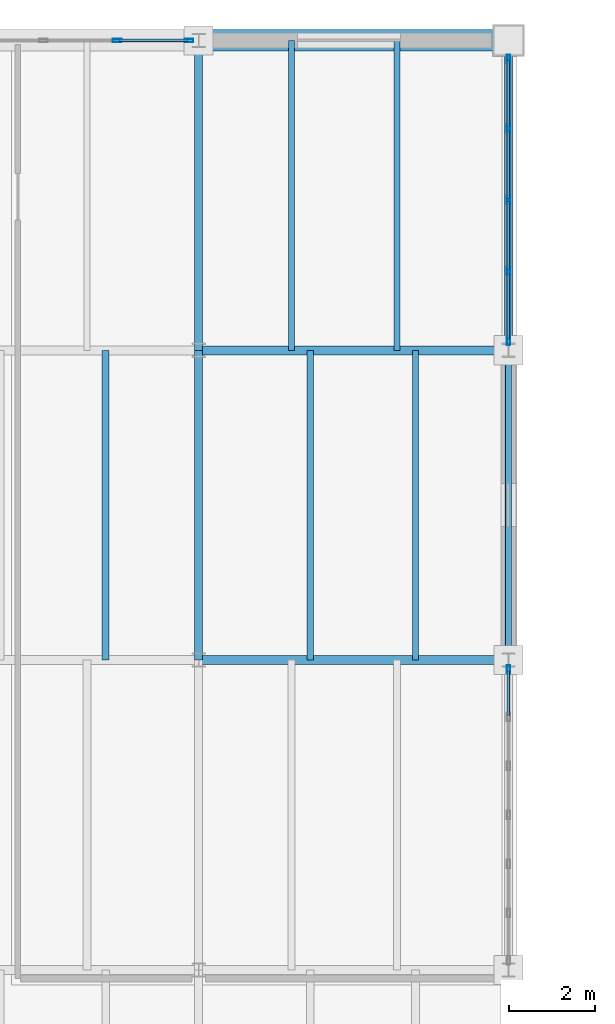
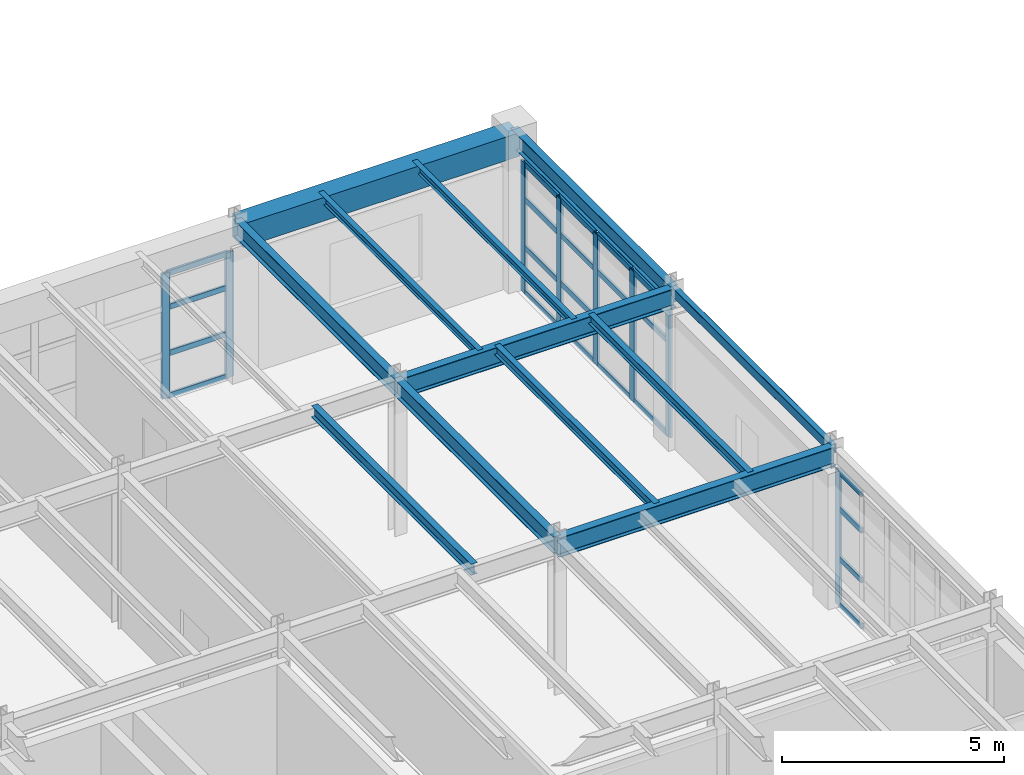
# One storey, part 65 of 137: 32 members, 12 beams, 3 elements without a shape of their own.
"""IFC4 building model written with IfcOpenShell, lengths in metres."""

import ifcopenshell
import ifcopenshell.guid

model = None  # the IFC model being written
_history = None  # IfcOwnerHistory: only IFC2X3 demands one
_inside = {}  # id of a spatial element -> (the spatial element, [elements in it])
_under = {}  # id of a project, library or spatial element -> (it, [spatial elements below it])
_declared = {}  # id of a project -> (the project, [libraries it declares])
_typed = {}  # id of a type object -> (the type object, [elements of that type])
_made_of = {}  # id of a material, layer set ... -> (it, [elements and type objects made of it])


def new_model(schema):
    """Start an empty IFC model of exactly this schema.

    Asked for "IFC4X3", IfcOpenShell would pick the latest addendum, in which some entities
    have other attributes; the version numbers below select the first issue.
    IFC2X3 requires an IfcOwnerHistory on every rooted entity: one is made here for all.
    """
    global model, _history
    if schema == "IFC4X3":
        model = ifcopenshell.file(schema_version=(4, 3, 0, 0))
    else:
        model = ifcopenshell.file(schema=schema)
    _inside.clear()
    _under.clear()
    _declared.clear()
    _typed.clear()
    _made_of.clear()
    _history = None
    if model.schema == "IFC2X3":
        org = make("IfcOrganization", Name="unknown")
        user = make(
            "IfcPersonAndOrganization",
            ThePerson=make("IfcPerson", FamilyName="unknown"),
            TheOrganization=org,
        )
        app = make(
            "IfcApplication",
            ApplicationDeveloper=org,
            Version="unknown",
            ApplicationFullName="unknown",
            ApplicationIdentifier="unknown",
        )
        _history = make(
            "IfcOwnerHistory",
            OwningUser=user,
            OwningApplication=app,
            ChangeAction="ADDED",
            CreationDate=0,
        )
    return model


def make(cls, **values):
    """One entity of the class cls with the attributes given. An attribute that is None is left unset."""
    return model.create_entity(
        cls, **{name: value for name, value in values.items() if value is not None}
    )


def rooted(cls, **values):
    """An entity with a GlobalId (a new one), such as an element, a storey or a relation."""
    return make(cls, GlobalId=ifcopenshell.guid.new(), OwnerHistory=_history, **values)


def si_unit(unit_type, name, prefix=None):
    """IfcSIUnit, for example si_unit("LENGTHUNIT", "METRE", prefix="MILLI")."""
    return make("IfcSIUnit", UnitType=unit_type, Prefix=prefix, Name=name)


def assignment(units):
    """IfcUnitAssignment: the units of a project."""
    return None if units is None else make("IfcUnitAssignment", Units=units)


def point(xyz):
    """IfcCartesianPoint."""
    return None if xyz is None else make("IfcCartesianPoint", Coordinates=xyz)


def direction(xyz):
    """IfcDirection."""
    return None if xyz is None else make("IfcDirection", DirectionRatios=xyz)


def frame(location, z_axis=None, x_axis=None):
    """IfcAxis2Placement3D, a coordinate frame: its origin and axes. An axis left out is left unset."""
    return make(
        "IfcAxis2Placement3D",
        Location=point(location),
        Axis=direction(z_axis),
        RefDirection=direction(x_axis),
    )


def frame_2d(location, x_axis=None):
    """IfcAxis2Placement2D, a coordinate frame in the plane: its origin and x axis."""
    return make(
        "IfcAxis2Placement2D", Location=point(location), RefDirection=direction(x_axis)
    )


def origin():
    """The frame at (0, 0, 0) with its axes left unset."""
    return frame((0.0, 0.0, 0.0))


def origin_2d():
    """The frame at (0, 0) in the plane with its x axis left unset."""
    return frame_2d((0.0, 0.0))


def place(relative_to, where):
    """IfcLocalPlacement: puts the frame where relative to a parent placement (None: the world)."""
    return make(
        "IfcLocalPlacement", PlacementRelTo=relative_to, RelativePlacement=where
    )


def context(
    kind, dimensions, precision=None, world=None, true_north=None, identifier=None
):
    """IfcGeometricRepresentationContext, for example the 3D "Model" context."""
    return make(
        "IfcGeometricRepresentationContext",
        ContextIdentifier=identifier,
        ContextType=kind,
        CoordinateSpaceDimension=dimensions,
        Precision=precision,
        WorldCoordinateSystem=world,
        TrueNorth=true_north,
    )


def subcontext(parent, identifier, kind, view, scale=None):
    """IfcGeometricRepresentationSubContext, for example "Body" below "Model"."""
    return make(
        "IfcGeometricRepresentationSubContext",
        ContextIdentifier=identifier,
        ContextType=kind,
        ParentContext=parent,
        TargetScale=scale,
        TargetView=view,
    )


def project(units=None, contexts=None):
    """IfcProject with its units and contexts."""
    return rooted(
        "IfcProject",
        Name="project",
        RepresentationContexts=contexts,
        UnitsInContext=assignment(units),
    )


def spatial(cls, under=None, at=None, **own):
    """A site, building, storey or space (cls), placed at a placement, below another one or the project."""
    s = rooted(cls, ObjectPlacement=at, **own)
    if under is not None:
        _under.setdefault(under.id(), (under, []))[1].append(s)
    return s


def profile(cls, at=None, kind="AREA", **sizes):
    """A parametric profile (cls). Its sizes go by their IFC names, for example OverallWidth=200.0."""
    return make(cls, ProfileType=kind, Position=at, **sizes)


def rectangle(**sizes):
    """IfcRectangleProfileDef."""
    return profile("IfcRectangleProfileDef", **sizes)


def hollow_rectangle(**sizes):
    """IfcRectangleHollowProfileDef."""
    return profile("IfcRectangleHollowProfileDef", **sizes)


def i_section(**sizes):
    """IfcIShapeProfileDef."""
    return profile("IfcIShapeProfileDef", **sizes)


def extrude(swept, where, along, depth):
    """IfcExtrudedAreaSolid: the profile swept, set in the frame where, extruded along a direction by depth."""
    return make(
        "IfcExtrudedAreaSolid",
        SweptArea=swept,
        Position=where,
        ExtrudedDirection=direction(along),
        Depth=depth,
    )


def shape(context_of_items, identifier, shape_type, items):
    """IfcShapeRepresentation: the items that make up one representation, for example the "Body"."""
    return make(
        "IfcShapeRepresentation",
        ContextOfItems=context_of_items,
        RepresentationIdentifier=identifier,
        RepresentationType=shape_type,
        Items=items,
    )


def material(Name=None, Category=None):
    """IfcMaterial."""
    return make("IfcMaterial", Name=Name, Category=Category)


def layer(
    of_material, thickness, ventilated=None, Name=None, Category=None, Priority=None
):
    """IfcMaterialLayer: one layer of a wall or slab, of a material (None: an air gap)."""
    return make(
        "IfcMaterialLayer",
        Material=of_material,
        LayerThickness=thickness,
        IsVentilated=ventilated,
        Name=Name,
        Category=Category,
        Priority=Priority,
    )


def layer_set(layers, Name=None):
    """IfcMaterialLayerSet."""
    return make("IfcMaterialLayerSet", MaterialLayers=layers, LayerSetName=Name)


def material_profile(
    of_material, cross_section, Name=None, Category=None, Priority=None
):
    """IfcMaterialProfile: a cross section and its material."""
    return make(
        "IfcMaterialProfile",
        Name=Name,
        Material=of_material,
        Profile=cross_section,
        Priority=Priority,
        Category=Category,
    )


def profile_set(profiles, Name=None, composite=None):
    """IfcMaterialProfileSet."""
    return make(
        "IfcMaterialProfileSet",
        Name=Name,
        MaterialProfiles=profiles,
        CompositeProfile=composite,
    )


def made_of(thing, what):
    """Note that an element or type object is made of a material, layer set ...; save() writes the relation."""
    if what is not None:
        _made_of.setdefault(what.id(), (what, []))[1].append(thing)
    return thing


def type_object(cls, material=None, **own):
    """A type object (cls), such as IfcWallType, which elements share."""
    return made_of(rooted(cls, **own), material)


def element(
    cls,
    number,
    at=None,
    inside=None,
    cuts=None,
    type_object=None,
    material=None,
    context=None,
    identifier="Body",
    shape_type=None,
    held_by="IfcProductDefinitionShape",
    body=None,
    shapes=None,
    **own,
):
    """One element of the class cls, such as IfcWall. Its Tag is "e" and its number.

    at: its placement. inside: the storey or other place that contains it. cuts: it is an
    opening in that element (IfcRelVoidsElement). A single representation is given by context,
    identifier, shape_type and body (its items); several are given by shapes. held_by: the class
    of the entity that holds the representations. save() writes the other relations.
    """
    e = rooted(cls, Tag="e%d" % number, ObjectPlacement=at, **own)
    if body is not None:
        shapes = [shape(context, identifier, shape_type, body)]
    if shapes is not None:
        e.Representation = make(held_by, Representations=shapes)
    if inside is not None:
        _inside.setdefault(inside.id(), (inside, []))[1].append(e)
    if cuts is not None:
        rooted(
            "IfcRelVoidsElement", RelatingBuildingElement=cuts, RelatedOpeningElement=e
        )
    if type_object is not None:
        _typed.setdefault(type_object.id(), (type_object, []))[1].append(e)
    return made_of(e, material)


def aggregate(whole, parts):
    """IfcRelAggregates: a whole, such as a stair, and the parts it consists of."""
    return rooted("IfcRelAggregates", RelatingObject=whole, RelatedObjects=parts)


def save(model, path):
    """Write the relations noted so far, then the file.

    IfcRelAggregates (storeys below a building ...), IfcRelContainedInSpatialStructure (elements
    in a storey), IfcRelDefinesByType, IfcRelAssociatesMaterial and IfcRelDeclares: one each for
    every whole, place, type object, material and project.
    """
    for whole, parts in _under.values():
        aggregate(whole, parts)
    for where, things in _inside.values():
        rooted(
            "IfcRelContainedInSpatialStructure",
            RelatedElements=things,
            RelatingStructure=where,
        )
    for kind, things in _typed.values():
        rooted("IfcRelDefinesByType", RelatedObjects=things, RelatingType=kind)
    for what, things in _made_of.values():
        rooted("IfcRelAssociatesMaterial", RelatedObjects=things, RelatingMaterial=what)
    for by, libraries in _declared.values():
        rooted("IfcRelDeclares", RelatingContext=by, RelatedDefinitions=libraries)
    model.write(path)


model = new_model("IFC4")

# Units and contexts
model_context = context("Model", 3, precision=1e-05, world=origin(), true_north=direction((0.0, 1.0)))
body_context = subcontext(model_context, "Body", "Model", "MODEL_VIEW")
ifc_project = project(units=[si_unit("LENGTHUNIT", "METRE"), si_unit("AREAUNIT", "SQUARE_METRE"), si_unit("VOLUMEUNIT", "CUBIC_METRE"), si_unit("PLANEANGLEUNIT", "RADIAN"), si_unit("MASSUNIT", "GRAM", prefix="KILO")], contexts=[model_context])

# Site, building, storey
site_placement = place(None, origin())
site = spatial("IfcSite", under=ifc_project, at=site_placement, CompositionType="ELEMENT")
building_placement = place(site_placement, origin())
building = spatial("IfcBuilding", under=site, at=building_placement, Name="Kemerveld Promenade Tramway Depot", CompositionType="ELEMENT")
storey_placement = place(building_placement, frame((0.0, 0.0, 5.39990234375)))
storey = spatial("IfcBuildingStorey", under=building, at=storey_placement, Name="L01", CompositionType="ELEMENT", Elevation=5.39990234375)

# Beams
ifc_material_1 = material(Name="Steel S355", Category="steel")
ifc_material_profile_1 = material_profile(ifc_material_1, i_section(OverallWidth=0.2099609375, OverallDepth=0.53662109375, WebThickness=0.0107421875, FlangeThickness=0.017333984375, FilletRadius=0.0126953125, at=origin_2d()), Name="533x210x101 UB")
ifc_profile_set_1 = profile_set([ifc_material_profile_1], Name="Steel S355")
beam_type_1 = type_object("IfcBeamType", Name="BM-G05", PredefinedType="BEAM", material=ifc_profile_set_1)
for number, where, z_axis, x_axis, name in (
    (1, (50.39990234375, 64.800048828125, 3.99169921875), (1.0, 0.0, 0.0), (0.0, 1.0, 0.0), "BMX-L01-08-09-K"),
    (2, (50.39990234375, 72.0, 3.99169921875), (1.0, 0.0, 0.0), (0.0, 1.0, 0.0), "BMX-L01-08-09-L"),
):
    element("IfcBeam", number, at=place(storey_placement, frame(where, z_axis=z_axis, x_axis=x_axis)), inside=storey, type_object=beam_type_1, Name=name, PredefinedType="BEAM", context=body_context, shape_type="SweptSolid", body=[
        extrude(i_section(OverallWidth=0.2099609375, OverallDepth=0.53662109375, WebThickness=0.0107421875, FlangeThickness=0.017333984375, FilletRadius=0.0126953125, at=origin_2d()), origin(), (0.0, 0.0, 1.0), 7.2001953125),
    ])
ifc_material_profile_2 = material_profile(ifc_material_1, i_section(OverallWidth=0.19140625, OverallDepth=0.4599609375, WebThickness=0.010009765625, FlangeThickness=0.01611328125, FilletRadius=0.01025390625, at=origin_2d()), Name="457x191x82 UB")
ifc_profile_set_2 = profile_set([ifc_material_profile_2], Name="Steel S355")
beam_type_2 = type_object("IfcBeamType", Name="BM-G06", PredefinedType="BEAM", material=ifc_profile_set_2)
for number, where, z_axis, x_axis, name in (
    (3, (50.39990234375, 64.800048828125, 4.030029296875), (0.0, 1.0, 0.0), (-1.0, 0.0, 0.0), "BMY-L01-08-K-L"),
    (4, (50.39990234375, 72.0, 4.030029296875), (0.0, 1.0, 0.0), (-1.0, 0.0, 0.0), "BMY-L01-08-L-M"),
    (5, (57.60009765625, 72.0, 4.030029296875), (0.0, 1.0, 0.0), (-1.0, 0.0, 0.0), "BMY-L01-09-L-M"),
):
    element("IfcBeam", number, at=place(storey_placement, frame(where, z_axis=z_axis, x_axis=x_axis)), inside=storey, type_object=beam_type_2, Name=name, PredefinedType="BEAM", context=body_context, shape_type="SweptSolid", body=[
        extrude(i_section(OverallWidth=0.19140625, OverallDepth=0.4599609375, WebThickness=0.010009765625, FlangeThickness=0.01611328125, FilletRadius=0.01025390625, at=origin_2d()), origin(), (0.0, 0.0, 1.0), 7.199951171875),
    ])
ifc_material_profile_3 = material_profile(ifc_material_1, i_section(OverallWidth=0.165771484375, OverallDepth=0.306640625, WebThickness=0.006591796875, FlangeThickness=0.01171875, FilletRadius=0.0087890625, at=origin_2d()), Name="305x165x46 UB")
ifc_profile_set_3 = profile_set([ifc_material_profile_3], Name="Steel S355")
beam_type_3 = type_object("IfcBeamType", Name="BM-J01", PredefinedType="JOIST", material=ifc_profile_set_3)
beam_1_placement = place(storey_placement, frame((48.239990234375, 64.800048828125, 4.106689453125), z_axis=(0.0, 1.0, 0.0), x_axis=(-1.0, 0.0, 0.0)))
element("IfcBeam", 6, at=beam_1_placement, inside=storey, type_object=beam_type_3, Name="JST-L01-07-K-2", PredefinedType="JOIST", context=body_context, shape_type="SweptSolid", body=[
    extrude(i_section(OverallWidth=0.165771484375, OverallDepth=0.306640625, WebThickness=0.006591796875, FlangeThickness=0.01171875, FilletRadius=0.0087890625, at=origin_2d()), origin(), (0.0, 0.0, 1.0), 7.199951171875),
])
ifc_material_profile_4 = material_profile(ifc_material_1, i_section(OverallWidth=0.146484375, OverallDepth=0.256103515625, WebThickness=0.00634765625, FlangeThickness=0.010986328125, FilletRadius=0.007568359375, at=origin_2d()), Name="254x146x37 UB")
ifc_profile_set_4 = profile_set([ifc_material_profile_4], Name="Steel S355")
beam_type_4 = type_object("IfcBeamType", Name="BM-J02", PredefinedType="JOIST", material=ifc_profile_set_4)
for number, where, z_axis, x_axis, name in (
    (7, (52.991943359375, 64.800048828125, 4.132080078125), (0.0, 1.0, 0.0), (-1.0, 0.0, 0.0), "JST-L01-08-K-1"),
    (8, (55.43994140625, 64.800048828125, 4.132080078125), (0.0, 1.0, 0.0), (-1.0, 0.0, 0.0), "JST-L01-08-K-2"),
):
    element("IfcBeam", number, at=place(storey_placement, frame(where, z_axis=z_axis, x_axis=x_axis)), inside=storey, type_object=beam_type_4, Name=name, PredefinedType="JOIST", context=body_context, shape_type="SweptSolid", body=[
        extrude(i_section(OverallWidth=0.146484375, OverallDepth=0.256103515625, WebThickness=0.00634765625, FlangeThickness=0.010986328125, FilletRadius=0.007568359375, at=origin_2d()), origin(), (0.0, 0.0, 1.0), 7.199951171875),
    ])
ifc_material_profile_5 = material_profile(ifc_material_1, i_section(OverallWidth=0.13330078125, OverallDepth=0.203125, WebThickness=0.005615234375, FlangeThickness=0.0078125, FilletRadius=0.007568359375, at=origin_2d()), Name="203x133x25 UB")
ifc_profile_set_5 = profile_set([ifc_material_profile_5], Name="Steel S355")
beam_type_5 = type_object("IfcBeamType", Name="BM-J03", PredefinedType="JOIST", material=ifc_profile_set_5)
for number, where, z_axis, x_axis, name in (
    (9, (52.56005859375, 72.0, 4.158447265625), (0.0, 1.0, 0.0), (-1.0, 0.0, 0.0), "JST-L01-08-L-1"),
    (10, (55.008056640625, 72.0, 4.158447265625), (0.0, 1.0, 0.0), (-1.0, 0.0, 0.0), "JST-L01-08-L-2"),
):
    element("IfcBeam", number, at=place(storey_placement, frame(where, z_axis=z_axis, x_axis=x_axis)), inside=storey, type_object=beam_type_5, Name=name, PredefinedType="JOIST", context=body_context, shape_type="SweptSolid", body=[
        extrude(i_section(OverallWidth=0.13330078125, OverallDepth=0.203125, WebThickness=0.005615234375, FlangeThickness=0.0078125, FilletRadius=0.007568359375, at=origin_2d()), origin(), (0.0, 0.0, 1.0), 7.199951171875),
    ])
ifc_material_2 = material(Name="Concrete C40/50", Category="concrete")
ifc_material_profile_6 = material_profile(ifc_material_2, rectangle(XDim=0.5, YDim=0.64990234375, at=origin_2d()), Name="RC-PLINTH-500x650")
ifc_profile_set_6 = profile_set([ifc_material_profile_6], Name="Concrete C40/50")
beam_type_6 = type_object("IfcBeamType", Name="BM-PL1", PredefinedType="BEAM", material=ifc_profile_set_6)
beam_2_placement = place(storey_placement, frame((50.39990234375, 79.199951171875, 3.93505859375), z_axis=(1.0, 0.0, 0.0), x_axis=(0.0, 1.0, 0.0)))
element("IfcBeam", 11, at=beam_2_placement, inside=storey, type_object=beam_type_6, Name="BMX-L01-08-09-M", PredefinedType="BEAM", context=body_context, shape_type="SweptSolid", body=[
    extrude(rectangle(XDim=0.5, YDim=0.64990234375, at=origin_2d()), origin(), (0.0, 0.0, 1.0), 7.2001953125),
])
ifc_material_profile_7 = material_profile(ifc_material_1, hollow_rectangle(XDim=0.14990234375, YDim=0.25, WallThickness=0.010009765625, InnerFilletRadius=0.0048828125, OuterFilletRadius=0.014892578125, at=origin_2d()), Name="250x150x10.0 RHS")
ifc_profile_set_7 = profile_set([ifc_material_profile_7], Name="Steel S355")
beam_type_7 = type_object("IfcBeamType", Name="BM-SP2", PredefinedType="SPANDREL", material=ifc_profile_set_7)
beam_3_placement = place(storey_placement, frame((57.60009765625, 64.800048828125, 4.135009765625), z_axis=(0.0, 1.0, 0.0), x_axis=(-1.0, 0.0, 0.0)))
element("IfcBeam", 12, at=beam_3_placement, inside=storey, type_object=beam_type_7, Name="BMY-L01-09-K-L", PredefinedType="SPANDREL", context=body_context, shape_type="SweptSolid", body=[
    extrude(hollow_rectangle(XDim=0.14990234375, YDim=0.25, WallThickness=0.010009765625, InnerFilletRadius=0.0048828125, OuterFilletRadius=0.014892578125, at=origin_2d()), origin(), (0.0, 0.0, 1.0), 7.199951171875),
])

# Curtain wall, members
ifc_material_3 = material(Name="Bronze anodised aluminium and solar glass", Category="aluminium")
ifc_layer_1 = layer(ifc_material_3, 0.199951171875)
ifc_layer_set_1 = layer_set([ifc_layer_1], Name="CW-SYS-10")
curtain_wall_type_1 = type_object("IfcCurtainWallType", Name="CW-SYS-10", PredefinedType="USERDEFINED", material=ifc_layer_set_1)
curtain_wall_1_placement = place(storey_placement, origin())
curtain_wall_1 = element("IfcCurtainWall", 13, at=curtain_wall_1_placement, inside=storey, type_object=curtain_wall_type_1, Name="CW-L01-V5N-07", ObjectType="GLAZED_CURTAIN_WALL", PredefinedType="USERDEFINED")
ifc_material_4 = material(Name="Bronze anodised aluminium", Category="aluminium")
ifc_material_profile_8 = material_profile(ifc_material_4, hollow_rectangle(XDim=0.074951171875, YDim=0.199951171875, WallThickness=0.0048828125, InnerFilletRadius=0.001953125, OuterFilletRadius=0.0048828125, at=origin_2d()), Name="CW-MUL-200x75")
ifc_profile_set_8 = profile_set([ifc_material_profile_8], Name="Bronze anodised aluminium")
member_type_1 = type_object("IfcMemberType", Name="CW-MUL-B", PredefinedType="MULLION", material=ifc_profile_set_8)
member_1_placement = place(storey_placement, frame((48.50830078125, 79.199951171875, 0.0), z_axis=(0.0, 0.0, 1.0), x_axis=(0.0, 1.0, 0.0)))
member_1 = element("IfcMember", 14, at=member_1_placement, type_object=member_type_1, Name="CW10 mullion 4", PredefinedType="MULLION", context=body_context, shape_type="SweptSolid", body=[
    extrude(hollow_rectangle(XDim=0.074951171875, YDim=0.199951171875, WallThickness=0.0048828125, InnerFilletRadius=0.001953125, OuterFilletRadius=0.0048828125, at=origin_2d()), origin(), (0.0, 0.0, 1.0), 3.440185546875),
])
member_2_placement = place(storey_placement, frame((50.178955078125, 79.199951171875, 0.0), z_axis=(0.0, 0.0, 1.0), x_axis=(0.0, 1.0, 0.0)))
member_2 = element("IfcMember", 15, at=member_2_placement, type_object=member_type_1, Name="CW10 mullion 5", PredefinedType="MULLION", context=body_context, shape_type="SweptSolid", body=[
    extrude(hollow_rectangle(XDim=0.074951171875, YDim=0.199951171875, WallThickness=0.0048828125, InnerFilletRadius=0.001953125, OuterFilletRadius=0.0048828125, at=origin_2d()), origin(), (0.0, 0.0, 1.0), 3.440185546875),
])

ifc_layer_2 = layer(ifc_material_3, 0.199951171875)
ifc_layer_set_2 = layer_set([ifc_layer_2], Name="CW-SYS-04")
curtain_wall_type_2 = type_object("IfcCurtainWallType", Name="CW-SYS-04", PredefinedType="USERDEFINED", material=ifc_layer_set_2)
curtain_wall_2_placement = place(storey_placement, origin())
curtain_wall_2 = element("IfcCurtainWall", 16, at=curtain_wall_2_placement, inside=storey, type_object=curtain_wall_type_2, Name="CW-L01-V5E-01", ObjectType="GLAZED_CURTAIN_WALL", PredefinedType="USERDEFINED")
member_3_placement = place(storey_placement, frame((57.60009765625, 78.767578125, 0.0), z_axis=(0.0, 0.0, 1.0), x_axis=(1.0, 0.0, 0.0)))
member_3 = element("IfcMember", 17, at=member_3_placement, type_object=member_type_1, Name="CW04 mullion 1", PredefinedType="MULLION", context=body_context, shape_type="SweptSolid", body=[
    extrude(hollow_rectangle(XDim=0.074951171875, YDim=0.199951171875, WallThickness=0.0048828125, InnerFilletRadius=0.001953125, OuterFilletRadius=0.0048828125, at=origin_2d()), origin(), (0.0, 0.0, 1.0), 3.590087890625),
])
member_4_placement = place(storey_placement, frame((57.60009765625, 77.149658203125, 0.0), z_axis=(0.0, 0.0, 1.0), x_axis=(1.0, 0.0, 0.0)))
member_4 = element("IfcMember", 18, at=member_4_placement, type_object=member_type_1, Name="CW04 mullion 2", PredefinedType="MULLION", context=body_context, shape_type="SweptSolid", body=[
    extrude(hollow_rectangle(XDim=0.074951171875, YDim=0.199951171875, WallThickness=0.0048828125, InnerFilletRadius=0.001953125, OuterFilletRadius=0.0048828125, at=origin_2d()), origin(), (0.0, 0.0, 1.0), 3.590087890625),
])
member_5_placement = place(storey_placement, frame((57.60009765625, 75.494140625, 0.0), z_axis=(0.0, 0.0, 1.0), x_axis=(1.0, 0.0, 0.0)))
member_5 = element("IfcMember", 19, at=member_5_placement, type_object=member_type_1, Name="CW04 mullion 3", PredefinedType="MULLION", context=body_context, shape_type="SweptSolid", body=[
    extrude(hollow_rectangle(XDim=0.074951171875, YDim=0.199951171875, WallThickness=0.0048828125, InnerFilletRadius=0.001953125, OuterFilletRadius=0.0048828125, at=origin_2d()), origin(), (0.0, 0.0, 1.0), 3.590087890625),
])
member_6_placement = place(storey_placement, frame((57.60009765625, 73.8388671875, 0.0), z_axis=(0.0, 0.0, 1.0), x_axis=(1.0, 0.0, 0.0)))
member_6 = element("IfcMember", 20, at=member_6_placement, type_object=member_type_1, Name="CW04 mullion 4", PredefinedType="MULLION", context=body_context, shape_type="SweptSolid", body=[
    extrude(hollow_rectangle(XDim=0.074951171875, YDim=0.199951171875, WallThickness=0.0048828125, InnerFilletRadius=0.001953125, OuterFilletRadius=0.0048828125, at=origin_2d()), origin(), (0.0, 0.0, 1.0), 3.590087890625),
])
member_7_placement = place(storey_placement, frame((57.60009765625, 72.220947265625, 0.0), z_axis=(0.0, 0.0, 1.0), x_axis=(1.0, 0.0, 0.0)))
member_7 = element("IfcMember", 21, at=member_7_placement, type_object=member_type_1, Name="CW04 mullion 5", PredefinedType="MULLION", context=body_context, shape_type="SweptSolid", body=[
    extrude(hollow_rectangle(XDim=0.074951171875, YDim=0.199951171875, WallThickness=0.0048828125, InnerFilletRadius=0.001953125, OuterFilletRadius=0.0048828125, at=origin_2d()), origin(), (0.0, 0.0, 1.0), 3.590087890625),
])

# Curtain wall, member
ifc_layer_3 = layer(ifc_material_3, 0.199951171875)
ifc_layer_set_3 = layer_set([ifc_layer_3], Name="CW-SYS-06")
curtain_wall_type_3 = type_object("IfcCurtainWallType", Name="CW-SYS-06", PredefinedType="USERDEFINED", material=ifc_layer_set_3)
curtain_wall_3_placement = place(storey_placement, origin())
curtain_wall_3 = element("IfcCurtainWall", 22, at=curtain_wall_3_placement, inside=storey, type_object=curtain_wall_type_3, Name="CW-L01-V5E-03", ObjectType="GLAZED_CURTAIN_WALL", PredefinedType="USERDEFINED")
member_8_placement = place(storey_placement, frame((57.60009765625, 64.5791015625, 0.0), z_axis=(0.0, 0.0, 1.0), x_axis=(1.0, 0.0, 0.0)))
member_8 = element("IfcMember", 23, at=member_8_placement, type_object=member_type_1, Name="CW06 mullion 1", PredefinedType="MULLION", context=body_context, shape_type="SweptSolid", body=[
    extrude(hollow_rectangle(XDim=0.074951171875, YDim=0.199951171875, WallThickness=0.0048828125, InnerFilletRadius=0.001953125, OuterFilletRadius=0.0048828125, at=origin_2d()), origin(), (0.0, 0.0, 1.0), 3.70361328125),
])

# Member
ifc_material_profile_9 = material_profile(ifc_material_4, hollow_rectangle(XDim=0.06494140625, YDim=0.14990234375, WallThickness=0.00439453125, InnerFilletRadius=0.001953125, OuterFilletRadius=0.00439453125, at=origin_2d()), Name="CW-TRN-150x65")
ifc_profile_set_9 = profile_set([ifc_material_profile_9], Name="Bronze anodised aluminium")
member_type_2 = type_object("IfcMemberType", Name="CW-TRN-B", PredefinedType="USERDEFINED", material=ifc_profile_set_9)
member_9_placement = place(storey_placement, frame((48.545654296875, 79.199951171875, 0.03271484375), z_axis=(1.0, 0.0, 0.0), x_axis=(0.0, 1.0, 0.0)))
member_9 = element("IfcMember", 24, at=member_9_placement, type_object=member_type_2, Name="CW10 transom 4.1", ObjectType="TRANSOM", PredefinedType="USERDEFINED", context=body_context, shape_type="SweptSolid", body=[
    extrude(hollow_rectangle(XDim=0.06494140625, YDim=0.14990234375, WallThickness=0.00439453125, InnerFilletRadius=0.001953125, OuterFilletRadius=0.00439453125, at=origin_2d()), origin(), (0.0, 0.0, 1.0), 1.595947265625),
])

member_10_placement = place(storey_placement, frame((48.545654296875, 79.199951171875, 1.2041015625), z_axis=(1.0, 0.0, 0.0), x_axis=(0.0, 1.0, 0.0)))
member_10 = element("IfcMember", 25, at=member_10_placement, type_object=member_type_2, Name="CW10 transom 4.2", ObjectType="TRANSOM", PredefinedType="USERDEFINED", context=body_context, shape_type="SweptSolid", body=[
    extrude(hollow_rectangle(XDim=0.06494140625, YDim=0.14990234375, WallThickness=0.00439453125, InnerFilletRadius=0.001953125, OuterFilletRadius=0.00439453125, at=origin_2d()), origin(), (0.0, 0.0, 1.0), 1.595947265625),
])

member_11_placement = place(storey_placement, frame((48.545654296875, 79.199951171875, 2.47705078125), z_axis=(1.0, 0.0, 0.0), x_axis=(0.0, 1.0, 0.0)))
member_11 = element("IfcMember", 26, at=member_11_placement, type_object=member_type_2, Name="CW10 transom 4.3", ObjectType="TRANSOM", PredefinedType="USERDEFINED", context=body_context, shape_type="SweptSolid", body=[
    extrude(hollow_rectangle(XDim=0.06494140625, YDim=0.14990234375, WallThickness=0.00439453125, InnerFilletRadius=0.001953125, OuterFilletRadius=0.00439453125, at=origin_2d()), origin(), (0.0, 0.0, 1.0), 1.595947265625),
])

member_12_placement = place(storey_placement, frame((48.545654296875, 79.199951171875, 3.40771484375), z_axis=(1.0, 0.0, 0.0), x_axis=(0.0, 1.0, 0.0)))
member_12 = element("IfcMember", 27, at=member_12_placement, type_object=member_type_2, Name="CW10 transom 4.4", ObjectType="TRANSOM", PredefinedType="USERDEFINED", context=body_context, shape_type="SweptSolid", body=[
    extrude(hollow_rectangle(XDim=0.06494140625, YDim=0.14990234375, WallThickness=0.00439453125, InnerFilletRadius=0.001953125, OuterFilletRadius=0.00439453125, at=origin_2d()), origin(), (0.0, 0.0, 1.0), 1.595947265625),
])

aggregate(curtain_wall_1, [member_1, member_2, member_9, member_10, member_11, member_12])

member_13_placement = place(storey_placement, frame((57.60009765625, 78.72998046875, 0.03271484375), z_axis=(0.0, -1.0, 0.0), x_axis=(1.0, 0.0, 0.0)))
member_13 = element("IfcMember", 28, at=member_13_placement, type_object=member_type_2, Name="CW04 transom 1.1", ObjectType="TRANSOM", PredefinedType="USERDEFINED", context=body_context, shape_type="SweptSolid", body=[
    extrude(hollow_rectangle(XDim=0.06494140625, YDim=0.14990234375, WallThickness=0.00439453125, InnerFilletRadius=0.001953125, OuterFilletRadius=0.00439453125, at=origin_2d()), origin(), (0.0, 0.0, 1.0), 1.54296875),
])

member_14_placement = place(storey_placement, frame((57.60009765625, 78.72998046875, 1.257080078125), z_axis=(0.0, -1.0, 0.0), x_axis=(1.0, 0.0, 0.0)))
member_14 = element("IfcMember", 29, at=member_14_placement, type_object=member_type_2, Name="CW04 transom 1.2", ObjectType="TRANSOM", PredefinedType="USERDEFINED", context=body_context, shape_type="SweptSolid", body=[
    extrude(hollow_rectangle(XDim=0.06494140625, YDim=0.14990234375, WallThickness=0.00439453125, InnerFilletRadius=0.001953125, OuterFilletRadius=0.00439453125, at=origin_2d()), origin(), (0.0, 0.0, 1.0), 1.54296875),
])

member_15_placement = place(storey_placement, frame((57.60009765625, 78.72998046875, 2.585205078125), z_axis=(0.0, -1.0, 0.0), x_axis=(1.0, 0.0, 0.0)))
member_15 = element("IfcMember", 30, at=member_15_placement, type_object=member_type_2, Name="CW04 transom 1.3", ObjectType="TRANSOM", PredefinedType="USERDEFINED", context=body_context, shape_type="SweptSolid", body=[
    extrude(hollow_rectangle(XDim=0.06494140625, YDim=0.14990234375, WallThickness=0.00439453125, InnerFilletRadius=0.001953125, OuterFilletRadius=0.00439453125, at=origin_2d()), origin(), (0.0, 0.0, 1.0), 1.54296875),
])

member_16_placement = place(storey_placement, frame((57.60009765625, 78.72998046875, 3.5576171875), z_axis=(0.0, -1.0, 0.0), x_axis=(1.0, 0.0, 0.0)))
member_16 = element("IfcMember", 31, at=member_16_placement, type_object=member_type_2, Name="CW04 transom 1.4", ObjectType="TRANSOM", PredefinedType="USERDEFINED", context=body_context, shape_type="SweptSolid", body=[
    extrude(hollow_rectangle(XDim=0.06494140625, YDim=0.14990234375, WallThickness=0.00439453125, InnerFilletRadius=0.001953125, OuterFilletRadius=0.00439453125, at=origin_2d()), origin(), (0.0, 0.0, 1.0), 1.54296875),
])

member_17_placement = place(storey_placement, frame((57.60009765625, 77.112060546875, 0.03271484375), z_axis=(0.0, -1.0, 0.0), x_axis=(1.0, 0.0, 0.0)))
member_17 = element("IfcMember", 32, at=member_17_placement, type_object=member_type_2, Name="CW04 transom 2.1", ObjectType="TRANSOM", PredefinedType="USERDEFINED", context=body_context, shape_type="SweptSolid", body=[
    extrude(hollow_rectangle(XDim=0.06494140625, YDim=0.14990234375, WallThickness=0.00439453125, InnerFilletRadius=0.001953125, OuterFilletRadius=0.00439453125, at=origin_2d()), origin(), (0.0, 0.0, 1.0), 1.580322265625),
])

member_18_placement = place(storey_placement, frame((57.60009765625, 77.112060546875, 1.257080078125), z_axis=(0.0, -1.0, 0.0), x_axis=(1.0, 0.0, 0.0)))
member_18 = element("IfcMember", 33, at=member_18_placement, type_object=member_type_2, Name="CW04 transom 2.2", ObjectType="TRANSOM", PredefinedType="USERDEFINED", context=body_context, shape_type="SweptSolid", body=[
    extrude(hollow_rectangle(XDim=0.06494140625, YDim=0.14990234375, WallThickness=0.00439453125, InnerFilletRadius=0.001953125, OuterFilletRadius=0.00439453125, at=origin_2d()), origin(), (0.0, 0.0, 1.0), 1.580322265625),
])

member_19_placement = place(storey_placement, frame((57.60009765625, 77.112060546875, 2.585205078125), z_axis=(0.0, -1.0, 0.0), x_axis=(1.0, 0.0, 0.0)))
member_19 = element("IfcMember", 34, at=member_19_placement, type_object=member_type_2, Name="CW04 transom 2.3", ObjectType="TRANSOM", PredefinedType="USERDEFINED", context=body_context, shape_type="SweptSolid", body=[
    extrude(hollow_rectangle(XDim=0.06494140625, YDim=0.14990234375, WallThickness=0.00439453125, InnerFilletRadius=0.001953125, OuterFilletRadius=0.00439453125, at=origin_2d()), origin(), (0.0, 0.0, 1.0), 1.580322265625),
])

member_20_placement = place(storey_placement, frame((57.60009765625, 77.112060546875, 3.5576171875), z_axis=(0.0, -1.0, 0.0), x_axis=(1.0, 0.0, 0.0)))
member_20 = element("IfcMember", 35, at=member_20_placement, type_object=member_type_2, Name="CW04 transom 2.4", ObjectType="TRANSOM", PredefinedType="USERDEFINED", context=body_context, shape_type="SweptSolid", body=[
    extrude(hollow_rectangle(XDim=0.06494140625, YDim=0.14990234375, WallThickness=0.00439453125, InnerFilletRadius=0.001953125, OuterFilletRadius=0.00439453125, at=origin_2d()), origin(), (0.0, 0.0, 1.0), 1.580322265625),
])

member_21_placement = place(storey_placement, frame((57.60009765625, 75.456787109375, 0.03271484375), z_axis=(0.0, -1.0, 0.0), x_axis=(1.0, 0.0, 0.0)))
member_21 = element("IfcMember", 36, at=member_21_placement, type_object=member_type_2, Name="CW04 transom 3.1", ObjectType="TRANSOM", PredefinedType="USERDEFINED", context=body_context, shape_type="SweptSolid", body=[
    extrude(hollow_rectangle(XDim=0.06494140625, YDim=0.14990234375, WallThickness=0.00439453125, InnerFilletRadius=0.001953125, OuterFilletRadius=0.00439453125, at=origin_2d()), origin(), (0.0, 0.0, 1.0), 1.580322265625),
])

member_22_placement = place(storey_placement, frame((57.60009765625, 75.456787109375, 1.257080078125), z_axis=(0.0, -1.0, 0.0), x_axis=(1.0, 0.0, 0.0)))
member_22 = element("IfcMember", 37, at=member_22_placement, type_object=member_type_2, Name="CW04 transom 3.2", ObjectType="TRANSOM", PredefinedType="USERDEFINED", context=body_context, shape_type="SweptSolid", body=[
    extrude(hollow_rectangle(XDim=0.06494140625, YDim=0.14990234375, WallThickness=0.00439453125, InnerFilletRadius=0.001953125, OuterFilletRadius=0.00439453125, at=origin_2d()), origin(), (0.0, 0.0, 1.0), 1.580322265625),
])

member_23_placement = place(storey_placement, frame((57.60009765625, 75.456787109375, 2.585205078125), z_axis=(0.0, -1.0, 0.0), x_axis=(1.0, 0.0, 0.0)))
member_23 = element("IfcMember", 38, at=member_23_placement, type_object=member_type_2, Name="CW04 transom 3.3", ObjectType="TRANSOM", PredefinedType="USERDEFINED", context=body_context, shape_type="SweptSolid", body=[
    extrude(hollow_rectangle(XDim=0.06494140625, YDim=0.14990234375, WallThickness=0.00439453125, InnerFilletRadius=0.001953125, OuterFilletRadius=0.00439453125, at=origin_2d()), origin(), (0.0, 0.0, 1.0), 1.580322265625),
])

member_24_placement = place(storey_placement, frame((57.60009765625, 75.456787109375, 3.5576171875), z_axis=(0.0, -1.0, 0.0), x_axis=(1.0, 0.0, 0.0)))
member_24 = element("IfcMember", 39, at=member_24_placement, type_object=member_type_2, Name="CW04 transom 3.4", ObjectType="TRANSOM", PredefinedType="USERDEFINED", context=body_context, shape_type="SweptSolid", body=[
    extrude(hollow_rectangle(XDim=0.06494140625, YDim=0.14990234375, WallThickness=0.00439453125, InnerFilletRadius=0.001953125, OuterFilletRadius=0.00439453125, at=origin_2d()), origin(), (0.0, 0.0, 1.0), 1.580322265625),
])

member_25_placement = place(storey_placement, frame((57.60009765625, 73.80126953125, 0.03271484375), z_axis=(0.0, -1.0, 0.0), x_axis=(1.0, 0.0, 0.0)))
member_25 = element("IfcMember", 40, at=member_25_placement, type_object=member_type_2, Name="CW04 transom 4.1", ObjectType="TRANSOM", PredefinedType="USERDEFINED", context=body_context, shape_type="SweptSolid", body=[
    extrude(hollow_rectangle(XDim=0.06494140625, YDim=0.14990234375, WallThickness=0.00439453125, InnerFilletRadius=0.001953125, OuterFilletRadius=0.00439453125, at=origin_2d()), origin(), (0.0, 0.0, 1.0), 1.542724609375),
])

member_26_placement = place(storey_placement, frame((57.60009765625, 73.80126953125, 1.257080078125), z_axis=(0.0, -1.0, 0.0), x_axis=(1.0, 0.0, 0.0)))
member_26 = element("IfcMember", 41, at=member_26_placement, type_object=member_type_2, Name="CW04 transom 4.2", ObjectType="TRANSOM", PredefinedType="USERDEFINED", context=body_context, shape_type="SweptSolid", body=[
    extrude(hollow_rectangle(XDim=0.06494140625, YDim=0.14990234375, WallThickness=0.00439453125, InnerFilletRadius=0.001953125, OuterFilletRadius=0.00439453125, at=origin_2d()), origin(), (0.0, 0.0, 1.0), 1.542724609375),
])

member_27_placement = place(storey_placement, frame((57.60009765625, 73.80126953125, 2.585205078125), z_axis=(0.0, -1.0, 0.0), x_axis=(1.0, 0.0, 0.0)))
member_27 = element("IfcMember", 42, at=member_27_placement, type_object=member_type_2, Name="CW04 transom 4.3", ObjectType="TRANSOM", PredefinedType="USERDEFINED", context=body_context, shape_type="SweptSolid", body=[
    extrude(hollow_rectangle(XDim=0.06494140625, YDim=0.14990234375, WallThickness=0.00439453125, InnerFilletRadius=0.001953125, OuterFilletRadius=0.00439453125, at=origin_2d()), origin(), (0.0, 0.0, 1.0), 1.542724609375),
])

member_28_placement = place(storey_placement, frame((57.60009765625, 73.80126953125, 3.5576171875), z_axis=(0.0, -1.0, 0.0), x_axis=(1.0, 0.0, 0.0)))
member_28 = element("IfcMember", 43, at=member_28_placement, type_object=member_type_2, Name="CW04 transom 4.4", ObjectType="TRANSOM", PredefinedType="USERDEFINED", context=body_context, shape_type="SweptSolid", body=[
    extrude(hollow_rectangle(XDim=0.06494140625, YDim=0.14990234375, WallThickness=0.00439453125, InnerFilletRadius=0.001953125, OuterFilletRadius=0.00439453125, at=origin_2d()), origin(), (0.0, 0.0, 1.0), 1.542724609375),
])

aggregate(curtain_wall_2, [member_3, member_4, member_5, member_6, member_7, member_13, member_14, member_15, member_16, member_17, member_18, member_19, member_20, member_21, member_22, member_23, member_24, member_25, member_26, member_27, member_28])

member_29_placement = place(storey_placement, frame((57.60009765625, 64.54150390625, 0.03271484375), z_axis=(0.0, -1.0, 0.0), x_axis=(1.0, 0.0, 0.0)))
member_29 = element("IfcMember", 44, at=member_29_placement, type_object=member_type_2, Name="CW06 transom 1.1", ObjectType="TRANSOM", PredefinedType="USERDEFINED", context=body_context, shape_type="SweptSolid", body=[
    extrude(hollow_rectangle(XDim=0.06494140625, YDim=0.14990234375, WallThickness=0.00439453125, InnerFilletRadius=0.001953125, OuterFilletRadius=0.00439453125, at=origin_2d()), origin(), (0.0, 0.0, 1.0), 1.0263671875),
])

member_30_placement = place(storey_placement, frame((57.60009765625, 64.54150390625, 1.296142578125), z_axis=(0.0, -1.0, 0.0), x_axis=(1.0, 0.0, 0.0)))
member_30 = element("IfcMember", 45, at=member_30_placement, type_object=member_type_2, Name="CW06 transom 1.2", ObjectType="TRANSOM", PredefinedType="USERDEFINED", context=body_context, shape_type="SweptSolid", body=[
    extrude(hollow_rectangle(XDim=0.06494140625, YDim=0.14990234375, WallThickness=0.00439453125, InnerFilletRadius=0.001953125, OuterFilletRadius=0.00439453125, at=origin_2d()), origin(), (0.0, 0.0, 1.0), 1.0263671875),
])

member_31_placement = place(storey_placement, frame((57.60009765625, 64.54150390625, 2.666015625), z_axis=(0.0, -1.0, 0.0), x_axis=(1.0, 0.0, 0.0)))
member_31 = element("IfcMember", 46, at=member_31_placement, type_object=member_type_2, Name="CW06 transom 1.3", ObjectType="TRANSOM", PredefinedType="USERDEFINED", context=body_context, shape_type="SweptSolid", body=[
    extrude(hollow_rectangle(XDim=0.06494140625, YDim=0.14990234375, WallThickness=0.00439453125, InnerFilletRadius=0.001953125, OuterFilletRadius=0.00439453125, at=origin_2d()), origin(), (0.0, 0.0, 1.0), 1.0263671875),
])

member_32_placement = place(storey_placement, frame((57.60009765625, 64.54150390625, 3.6708984375), z_axis=(0.0, -1.0, 0.0), x_axis=(1.0, 0.0, 0.0)))
member_32 = element("IfcMember", 47, at=member_32_placement, type_object=member_type_2, Name="CW06 transom 1.4", ObjectType="TRANSOM", PredefinedType="USERDEFINED", context=body_context, shape_type="SweptSolid", body=[
    extrude(hollow_rectangle(XDim=0.06494140625, YDim=0.14990234375, WallThickness=0.00439453125, InnerFilletRadius=0.001953125, OuterFilletRadius=0.00439453125, at=origin_2d()), origin(), (0.0, 0.0, 1.0), 1.0263671875),
])

aggregate(curtain_wall_3, [member_8, member_29, member_30, member_31, member_32])

save(model, "model.ifc")
